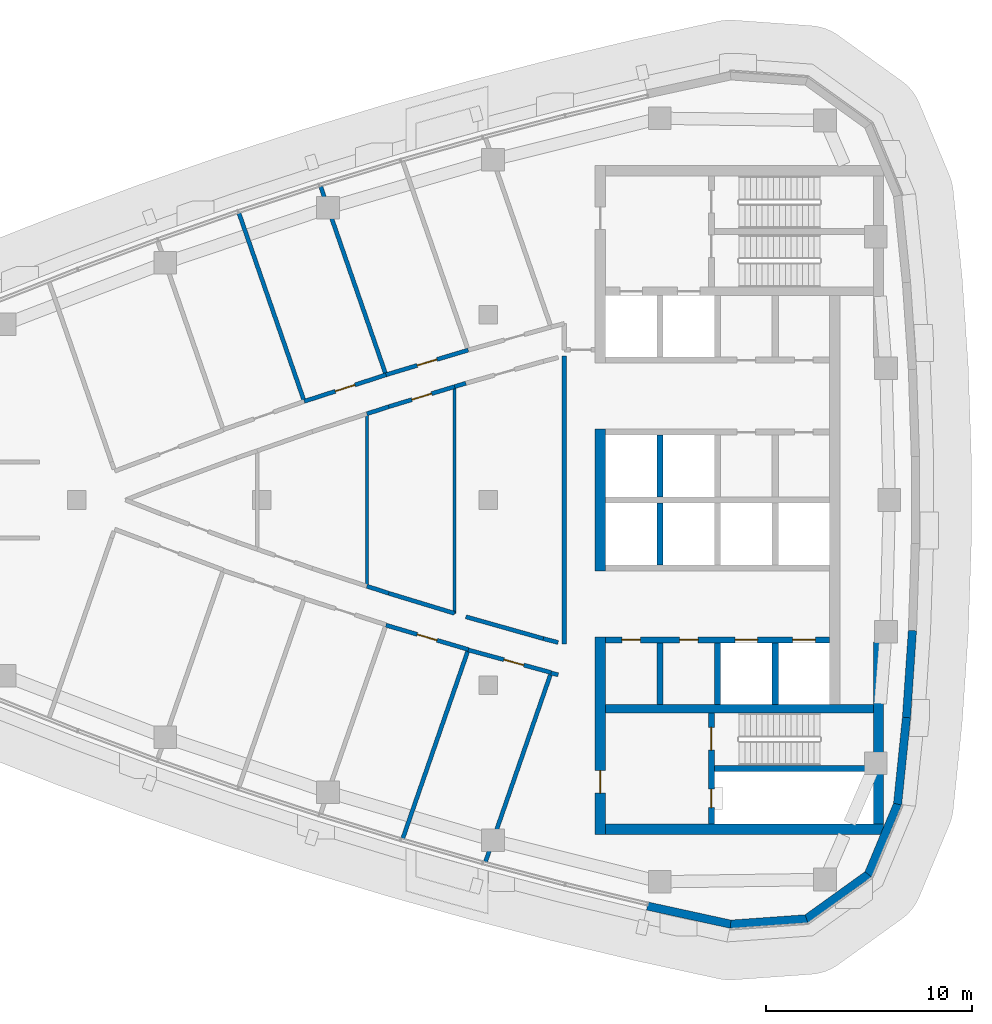
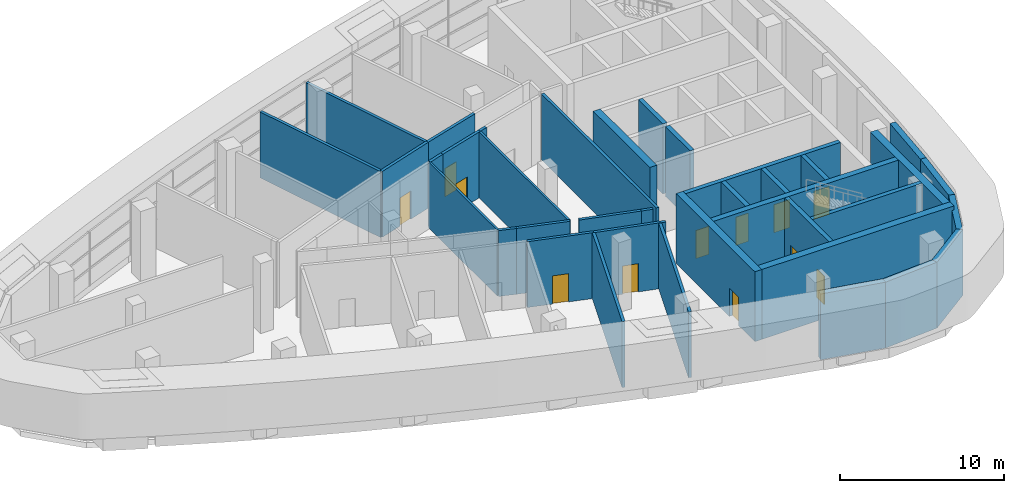
# One storey, part 8 of 14: 38 walls, 12 doors, 12 openings.
"""IFC4 building model written with IfcOpenShell, lengths in metres."""

from ifc_helpers import new_model, si_unit, direction, frame, frame_2d, origin, place, context, subcontext, project, spatial, polyline, rectangle, outline, extrude, material, layer, layer_set, type_object, element, fill, save


model = new_model("IFC4")

# Units and contexts
model_context = context("Model", 3, precision=1e-05, world=origin(), true_north=direction((0.0, 1.0)))
body_context = subcontext(model_context, "Body", "Model", "MODEL_VIEW")
ifc_project = project(units=[si_unit("LENGTHUNIT", "METRE"), si_unit("AREAUNIT", "SQUARE_METRE"), si_unit("VOLUMEUNIT", "CUBIC_METRE"), si_unit("PLANEANGLEUNIT", "RADIAN"), si_unit("MASSUNIT", "GRAM", prefix="KILO")], contexts=[model_context])

# Site, building, storey
site_placement = place(None, origin())
site = spatial("IfcSite", under=ifc_project, at=site_placement, CompositionType="ELEMENT")
building_placement = place(site_placement, origin())
building = spatial("IfcBuilding", under=site, at=building_placement, Name="Ostrand Prow Hotel Tower", CompositionType="ELEMENT")
storey_placement = place(building_placement, frame((0.0, 0.0, 303.39990234375)))
storey = spatial("IfcBuildingStorey", under=building, at=storey_placement, Name="L77", CompositionType="ELEMENT", Elevation=303.39990234375)

# Wall
ifc_material_1 = material(Name="Concrete C50/60", Category="concrete")
ifc_layer_1 = layer(ifc_material_1, 0.300048828125)
ifc_layer_set_1 = layer_set([ifc_layer_1], Name="Concrete C50/60")
wall_type_1 = type_object("IfcWallType", Name="Core wall 300 C50/60", PredefinedType="SHEAR", material=ifc_layer_set_1)
wall_1_placement = place(storey_placement, frame((53.35009765625, 0.14990234375, 0.0), z_axis=(0.0, 0.0, 1.0), x_axis=(0.0, 1.0, 0.0)))
element("IfcWall", 1, at=wall_1_placement, inside=storey, type_object=wall_type_1, Name="Core wall PW-R1-NB", PredefinedType="SHEAR", context=body_context, shape_type="SweptSolid", body=[
    extrude(rectangle(XDim=3.0, YDim=0.300048828125, at=frame_2d((1.5, 0.0))), origin(), (0.0, 0.0, 1.0), 5.2001953125),
])

# Wall, openings, doors
wall_2_placement = place(storey_placement, frame((50.699951171875, -6.800048828125, 0.0), z_axis=(0.0, 0.0, 1.0), x_axis=(1.0, 0.0, 0.0)))
wall_2 = element("IfcWall", 2, at=wall_2_placement, inside=storey, type_object=wall_type_1, Name="Core wall PW-L2-S", PredefinedType="SHEAR", context=body_context, shape_type="SweptSolid", body=[
    extrude(rectangle(XDim=10.900146484375, YDim=0.300048828125, at=frame_2d((5.4501953125, 0.0))), origin(), (0.0, 0.0, 1.0), 5.2001953125),
])
opening_1_placement = place(wall_2_placement, frame((6.300048828125, 0.0, 0.0)))
opening_1 = element("IfcOpeningElement", 3, at=opening_1_placement, cuts=wall_2, Name="Opening LD", PredefinedType="OPENING", context=body_context, shape_type="SweptSolid", body=[
    extrude(rectangle(XDim=1.10009765625, YDim=2.10009765625, at=frame_2d((0.550048828125, 1.050048828125))), frame((0.0, 0.159912109375, 0.0), z_axis=(0.0, -1.0, 0.0), x_axis=(1.0, 0.0, 0.0)), (0.0, 0.0, 1.0), 0.320068359375),
])
opening_2_placement = place(wall_2_placement, frame((9.10009765625, 0.0, 0.0)))
opening_2 = element("IfcOpeningElement", 4, at=opening_2_placement, cuts=wall_2, Name="Opening LD", PredefinedType="OPENING", context=body_context, shape_type="SweptSolid", body=[
    extrude(rectangle(XDim=1.10009765625, YDim=2.10009765625, at=frame_2d((0.550048828125, 1.050048828125))), frame((0.0, 0.159912109375, 0.0), z_axis=(0.0, -1.0, 0.0), x_axis=(1.0, 0.0, 0.0)), (0.0, 0.0, 1.0), 0.320068359375),
])
opening_3_placement = place(wall_2_placement, frame((0.800048828125, 0.0, 0.0)))
opening_3 = element("IfcOpeningElement", 5, at=opening_3_placement, cuts=wall_2, Name="Opening FD2", PredefinedType="OPENING", context=body_context, shape_type="SweptSolid", body=[
    extrude(rectangle(XDim=0.89990234375, YDim=2.10009765625, at=frame_2d((0.449951171875, 1.050048828125))), frame((0.0, 0.159912109375, 0.0), z_axis=(0.0, -1.0, 0.0), x_axis=(1.0, 0.0, 0.0)), (0.0, 0.0, 1.0), 0.320068359375),
])
opening_4_placement = place(wall_2_placement, frame((3.60009765625, 0.0, 0.0)))
opening_4 = element("IfcOpeningElement", 6, at=opening_4_placement, cuts=wall_2, Name="Opening FD2", PredefinedType="OPENING", context=body_context, shape_type="SweptSolid", body=[
    extrude(rectangle(XDim=0.89990234375, YDim=2.10009765625, at=frame_2d((0.449951171875, 1.050048828125))), frame((0.0, 0.159912109375, 0.0), z_axis=(0.0, -1.0, 0.0), x_axis=(1.0, 0.0, 0.0)), (0.0, 0.0, 1.0), 0.320068359375),
])
ifc_material_2 = material(Name="Steel fire door", Category="steel")
door_type_1 = type_object("IfcDoorType", Name="Fire door 900 EI120", OperationType="SINGLE_SWING_LEFT", PredefinedType="DOOR", material=ifc_material_2)
door_1_placement = place(opening_3_placement, origin())
door_1 = element("IfcDoor", 7, at=door_1_placement, inside=storey, type_object=door_type_1, Name="DOOR", OperationType="SINGLE_SWING_LEFT", OverallHeight=2.10009765625, OverallWidth=0.89990234375, PredefinedType="DOOR", context=body_context, shape_type="SweptSolid", body=[
    extrude(rectangle(XDim=0.89990234375, YDim=2.10009765625, at=frame_2d((0.449951171875, 1.050048828125))), frame((0.0, 0.02490234375, 0.0), z_axis=(0.0, -1.0, 0.0), x_axis=(1.0, 0.0, 0.0)), (0.0, 0.0, 1.0), 0.050048828125),
])
fill(opening_3, door_1)
door_2_placement = place(opening_4_placement, origin())
door_2 = element("IfcDoor", 8, at=door_2_placement, inside=storey, type_object=door_type_1, Name="DOOR", OperationType="SINGLE_SWING_LEFT", OverallHeight=2.10009765625, OverallWidth=0.89990234375, PredefinedType="DOOR", context=body_context, shape_type="SweptSolid", body=[
    extrude(rectangle(XDim=0.89990234375, YDim=2.10009765625, at=frame_2d((0.449951171875, 1.050048828125))), frame((0.0, 0.02490234375, 0.0), z_axis=(0.0, -1.0, 0.0), x_axis=(1.0, 0.0, 0.0)), (0.0, 0.0, 1.0), 0.050048828125),
])
fill(opening_4, door_2)
ifc_material_3 = material(Name="Stainless steel door", Category="steel")
door_type_2 = type_object("IfcDoorType", Name="Lift landing door 1100", OperationType="DOUBLE_DOOR_SLIDING", PredefinedType="DOOR", material=ifc_material_3)
door_3_placement = place(opening_1_placement, origin())
door_3 = element("IfcDoor", 9, at=door_3_placement, inside=storey, type_object=door_type_2, Name="LIFT LANDING DOOR", OperationType="DOUBLE_DOOR_SLIDING", OverallHeight=2.10009765625, OverallWidth=1.10009765625, PredefinedType="DOOR", context=body_context, shape_type="SweptSolid", body=[
    extrude(rectangle(XDim=1.10009765625, YDim=2.10009765625, at=frame_2d((0.550048828125, 1.050048828125))), frame((0.0, 0.02490234375, 0.0), z_axis=(0.0, -1.0, 0.0), x_axis=(1.0, 0.0, 0.0)), (0.0, 0.0, 1.0), 0.050048828125),
])
fill(opening_1, door_3)
door_4_placement = place(opening_2_placement, origin())
door_4 = element("IfcDoor", 10, at=door_4_placement, inside=storey, type_object=door_type_2, Name="LIFT LANDING DOOR", OperationType="DOUBLE_DOOR_SLIDING", OverallHeight=2.10009765625, OverallWidth=1.10009765625, PredefinedType="DOOR", context=body_context, shape_type="SweptSolid", body=[
    extrude(rectangle(XDim=1.10009765625, YDim=2.10009765625, at=frame_2d((0.550048828125, 1.050048828125))), frame((0.0, 0.02490234375, 0.0), z_axis=(0.0, -1.0, 0.0), x_axis=(1.0, 0.0, 0.0)), (0.0, 0.0, 1.0), 0.050048828125),
])
fill(opening_2, door_4)

# Walls
for number, where, z_axis, x_axis, name in (
    (11, (53.35009765625, -3.14990234375, 0.0), (0.0, 0.0, 1.0), (0.0, 1.0, 0.0), "Core wall PW-R1-SB"),
    (12, (53.35009765625, -9.949951171875, 0.0), (0.0, 0.0, 1.0), (0.0, 1.0, 0.0), "Core wall PW-R1-SA"),
    (13, (56.14990234375, -9.949951171875, 0.0), (0.0, 0.0, 1.0), (0.0, 1.0, 0.0), "Core wall PW-R2-SA"),
    (14, (58.949951171875, -9.949951171875, 0.0), (0.0, 0.0, 1.0), (0.0, 1.0, 0.0), "Core wall PW-R3-SA"),
):
    element("IfcWall", number, at=place(storey_placement, frame(where, z_axis=z_axis, x_axis=x_axis)), inside=storey, type_object=wall_type_1, Name=name, PredefinedType="SHEAR", context=body_context, shape_type="SweptSolid", body=[
        extrude(rectangle(XDim=3.0, YDim=0.300048828125, at=frame_2d((1.5, 0.0))), origin(), (0.0, 0.0, 1.0), 5.2001953125),
    ])

# Wall, openings, doors
wall_3_placement = place(storey_placement, frame((55.85009765625, -15.75, 0.0), z_axis=(0.0, 0.0, 1.0), x_axis=(0.0, 1.0, 0.0)))
wall_3 = element("IfcWall", 15, at=wall_3_placement, inside=storey, type_object=wall_type_1, Name="Core wall PW-VS", PredefinedType="SHEAR", context=body_context, shape_type="SweptSolid", body=[
    extrude(rectangle(XDim=5.39990234375, YDim=0.300048828125, at=frame_2d((2.699951171875, 0.0))), origin(), (0.0, 0.0, 1.0), 5.2001953125),
])
opening_5_placement = place(wall_3_placement, frame((3.60009765625, 0.0, 0.0)))
opening_5 = element("IfcOpeningElement", 16, at=opening_5_placement, cuts=wall_3, Name="Opening FD1", PredefinedType="OPENING", context=body_context, shape_type="SweptSolid", body=[
    extrude(rectangle(XDim=1.10009765625, YDim=2.10009765625, at=frame_2d((0.550048828125, 1.050048828125))), frame((0.0, 0.159912109375, 0.0), z_axis=(0.0, -1.0, 0.0), x_axis=(1.0, 0.0, 0.0)), (0.0, 0.0, 1.0), 0.320068359375),
])
opening_6_placement = place(wall_3_placement, frame((0.800048828125, 0.0, 0.0)))
opening_6 = element("IfcOpeningElement", 17, at=opening_6_placement, cuts=wall_3, Name="Opening FD2", PredefinedType="OPENING", context=body_context, shape_type="SweptSolid", body=[
    extrude(rectangle(XDim=0.89990234375, YDim=2.10009765625, at=frame_2d((0.449951171875, 1.050048828125))), frame((0.0, 0.159912109375, 0.0), z_axis=(0.0, -1.0, 0.0), x_axis=(1.0, 0.0, 0.0)), (0.0, 0.0, 1.0), 0.320068359375),
])
ifc_material_4 = material(Name="Steel fire door", Category="steel")
door_type_3 = type_object("IfcDoorType", Name="Fire door 1100 EI120", OperationType="SINGLE_SWING_RIGHT", PredefinedType="DOOR", material=ifc_material_4)
door_5_placement = place(opening_5_placement, origin())
door_5 = element("IfcDoor", 18, at=door_5_placement, inside=storey, type_object=door_type_3, Name="FIRE DOOR", OperationType="SINGLE_SWING_RIGHT", OverallHeight=2.10009765625, OverallWidth=1.10009765625, PredefinedType="DOOR", context=body_context, shape_type="SweptSolid", body=[
    extrude(rectangle(XDim=1.10009765625, YDim=2.10009765625, at=frame_2d((0.550048828125, 1.050048828125))), frame((0.0, 0.02490234375, 0.0), z_axis=(0.0, -1.0, 0.0), x_axis=(1.0, 0.0, 0.0)), (0.0, 0.0, 1.0), 0.050048828125),
])
fill(opening_5, door_5)
door_6_placement = place(opening_6_placement, origin())
door_6 = element("IfcDoor", 19, at=door_6_placement, inside=storey, type_object=door_type_1, Name="FIRE DOOR", OperationType="SINGLE_SWING_LEFT", OverallHeight=2.10009765625, OverallWidth=0.89990234375, PredefinedType="DOOR", context=body_context, shape_type="SweptSolid", body=[
    extrude(rectangle(XDim=0.89990234375, YDim=2.10009765625, at=frame_2d((0.449951171875, 1.050048828125))), frame((0.0, 0.02490234375, 0.0), z_axis=(0.0, -1.0, 0.0), x_axis=(1.0, 0.0, 0.0)), (0.0, 0.0, 1.0), 0.050048828125),
])
fill(opening_6, door_6)

# Walls
wall_4_placement = place(storey_placement, frame((56.0, -13.050048828125, 0.0), z_axis=(0.0, 0.0, 1.0), x_axis=(1.0, 0.0, 0.0)))
element("IfcWall", 20, at=wall_4_placement, inside=storey, type_object=wall_type_1, Name="Core wall PW-ST2R", PredefinedType="SHEAR", context=body_context, shape_type="SweptSolid", body=[
    extrude(rectangle(XDim=7.719970703125, YDim=0.300048828125, at=frame_2d((3.85986328125, 0.0))), origin(), (0.0, 0.0, 1.0), 5.2001953125),
])
ifc_material_5 = material(Name="Concrete C50/60", Category="concrete")
ifc_layer_2 = layer(ifc_material_5, 0.39990234375)
ifc_layer_set_2 = layer_set([ifc_layer_2], Name="Concrete C50/60")
wall_type_2 = type_object("IfcWallType", Name="Core wall 400 C50/60", PredefinedType="SHEAR", material=ifc_layer_set_2)
wall_5_placement = place(storey_placement, frame((50.699951171875, -10.14990234375, 0.0), z_axis=(0.0, 0.0, 1.0), x_axis=(1.0, 0.0, 0.0)))
element("IfcWall", 21, at=wall_5_placement, inside=storey, type_object=wall_type_2, Name="Core wall PW-BS", PredefinedType="SHEAR", context=body_context, shape_type="SweptSolid", body=[
    extrude(rectangle(XDim=13.02001953125, YDim=0.39990234375, at=frame_2d((6.510009765625, 0.0))), origin(), (0.0, 0.0, 1.0), 5.2001953125),
])
ifc_material_6 = material(Name="Concrete C50/60", Category="concrete")
ifc_layer_3 = layer(ifc_material_6, 0.5)
ifc_layer_set_3 = layer_set([ifc_layer_3], Name="Concrete C50/60")
wall_type_3 = type_object("IfcWallType", Name="Core wall 500 C50/60", PredefinedType="SHEAR", material=ifc_layer_set_3)
wall_6_placement = place(storey_placement, frame((50.449951171875, -3.449951171875, 0.0), z_axis=(0.0, 0.0, 1.0), x_axis=(0.0, 1.0, 0.0)))
element("IfcWall", 22, at=wall_6_placement, inside=storey, type_object=wall_type_3, Name="Core wall CW-W-C", PredefinedType="SHEAR", context=body_context, shape_type="SweptSolid", body=[
    extrude(rectangle(XDim=6.89990234375, YDim=0.5, at=frame_2d((3.449951171875, 0.0))), origin(), (0.0, 0.0, 1.0), 5.2001953125),
])

# Wall, opening, door
wall_7_placement = place(storey_placement, frame((50.449951171875, -16.25, 0.0), z_axis=(0.0, 0.0, 1.0), x_axis=(0.0, 1.0, 0.0)))
wall_7 = element("IfcWall", 23, at=wall_7_placement, inside=storey, type_object=wall_type_3, Name="Core wall CW-W-S", PredefinedType="SHEAR", context=body_context, shape_type="SweptSolid", body=[
    extrude(rectangle(XDim=9.60009765625, YDim=0.5, at=frame_2d((4.800048828125, 0.0))), origin(), (0.0, 0.0, 1.0), 5.2001953125),
])
opening_7_placement = place(wall_7_placement, frame((2.0, 0.0, 0.0)))
opening_7 = element("IfcOpeningElement", 24, at=opening_7_placement, cuts=wall_7, Name="Opening FD1", PredefinedType="OPENING", context=body_context, shape_type="SweptSolid", body=[
    extrude(rectangle(XDim=1.10009765625, YDim=2.10009765625, at=frame_2d((0.550048828125, 1.050048828125))), frame((0.0, 0.260009765625, 0.0), z_axis=(0.0, -1.0, 0.0), x_axis=(1.0, 0.0, 0.0)), (0.0, 0.0, 1.0), 0.52001953125),
])
door_7_placement = place(opening_7_placement, origin())
door_7 = element("IfcDoor", 25, at=door_7_placement, inside=storey, type_object=door_type_3, Name="FIRE DOOR", OperationType="SINGLE_SWING_RIGHT", OverallHeight=2.10009765625, OverallWidth=1.10009765625, PredefinedType="DOOR", context=body_context, shape_type="SweptSolid", body=[
    extrude(rectangle(XDim=1.10009765625, YDim=2.10009765625, at=frame_2d((0.550048828125, 1.050048828125))), frame((0.0, 0.02490234375, 0.0), z_axis=(0.0, -1.0, 0.0), x_axis=(1.0, 0.0, 0.0)), (0.0, 0.0, 1.0), 0.050048828125),
])
fill(opening_7, door_7)

# Walls
wall_8_placement = place(storey_placement, frame((50.699951171875, -16.0, 0.0), z_axis=(0.0, 0.0, 1.0), x_axis=(1.0, 0.0, 0.0)))
element("IfcWall", 26, at=wall_8_placement, inside=storey, type_object=wall_type_3, Name="Core wall CW-S", PredefinedType="SHEAR", context=body_context, shape_type="SweptSolid", body=[
    extrude(rectangle(XDim=13.52001953125, YDim=0.5, at=frame_2d((6.760009765625, 0.0))), origin(), (0.0, 0.0, 1.0), 5.2001953125),
])
wall_9_placement = place(storey_placement, frame((63.969970703125, -15.75, 0.0), z_axis=(0.0, 0.0, 1.0), x_axis=(0.0, 1.0, 0.0)))
element("IfcWall", 27, at=wall_9_placement, inside=storey, type_object=wall_type_3, Name="Core wall CW-E-S", PredefinedType="SHEAR", context=body_context, shape_type="SweptSolid", body=[
    extrude(rectangle(XDim=8.8466796875, YDim=0.5, at=frame_2d((4.42333984375, 0.0))), origin(), (0.0, 0.0, 1.0), 5.2001953125),
])
ifc_material_7 = material(Name="Plasterboard partition")
ifc_layer_4 = layer(ifc_material_7, 0.14990234375)
ifc_layer_set_4 = layer_set([ifc_layer_4], Name="Plasterboard partition")
wall_type_4 = type_object("IfcWallType", Name="Partition 150 room partition", PredefinedType="PARTITIONING", material=ifc_layer_set_4)
wall_10_placement = place(storey_placement, frame((39.1083984375, -4.1884765625, 0.0), z_axis=(0.0, 0.0, 1.0), x_axis=(0.0, 1.0, 0.0)))
element("IfcWall", 28, at=wall_10_placement, inside=storey, type_object=wall_type_4, Name="ROOM PARTITION", PredefinedType="PARTITIONING", context=body_context, shape_type="SweptSolid", body=[
    extrude(rectangle(XDim=8.376953125, YDim=0.14990234375, at=frame_2d((4.1884765625, 0.0))), origin(), (0.0, 0.0, 1.0), 4.900146484375),
])
wall_11_placement = place(storey_placement, frame((43.371337890625, -5.50830078125, 0.0), z_axis=(0.0, 0.0, 1.0), x_axis=(0.0, 1.0, 0.0)))
element("IfcWall", 29, at=wall_11_placement, inside=storey, type_object=wall_type_4, Name="ROOM PARTITION", PredefinedType="PARTITIONING", context=body_context, shape_type="SweptSolid", body=[
    extrude(rectangle(XDim=11.0166015625, YDim=0.14990234375, at=frame_2d((5.50830078125, 0.0))), origin(), (0.0, 0.0, 1.0), 4.900146484375),
])

# Wall, opening, door
ifc_material_8 = material(Name="Plasterboard partition")
ifc_layer_5 = layer(ifc_material_8, 0.199951171875)
ifc_layer_set_5 = layer_set([ifc_layer_5], Name="Plasterboard partition")
wall_type_5 = type_object("IfcWallType", Name="Partition 200 corridor wall", PredefinedType="PARTITIONING", material=ifc_layer_set_5)
wall_12_placement = place(storey_placement, frame((40.035400390625, 6.08251953125, 0.0), z_axis=(0.0, 0.0, 1.0), x_axis=(-0.951196378796, -0.308586209941, 0.0)))
wall_12 = element("IfcWall", 30, at=wall_12_placement, inside=storey, type_object=wall_type_5, Name="CORRIDOR WALL", PredefinedType="PARTITIONING", context=body_context, shape_type="SweptSolid", body=[
    extrude(rectangle(XDim=4.175048828125, YDim=0.199951171875, at=frame_2d((2.08740234375, 0.0))), origin(), (0.0, 0.0, 1.0), 4.900146484375),
])
opening_8_placement = place(wall_12_placement, frame((1.587646484375, 0.0, 0.0)))
opening_8 = element("IfcOpeningElement", 31, at=opening_8_placement, cuts=wall_12, Name="Opening D1", PredefinedType="OPENING", context=body_context, shape_type="SweptSolid", body=[
    extrude(rectangle(XDim=1.0, YDim=2.10009765625, at=frame_2d((0.5, 1.050048828125))), frame((0.0, 0.10986328125, 0.0), z_axis=(0.0, -1.0, 0.0), x_axis=(1.0, 0.0, 0.0)), (0.0, 0.0, 1.0), 0.219970703125),
])
ifc_material_9 = material(Name="Timber door leaf", Category="wood")
door_type_4 = type_object("IfcDoorType", Name="Guest room door 1000", OperationType="SINGLE_SWING_LEFT", PredefinedType="DOOR", material=ifc_material_9)
door_8_placement = place(opening_8_placement, origin())
door_8 = element("IfcDoor", 32, at=door_8_placement, inside=storey, type_object=door_type_4, Name="DOOR", OperationType="SINGLE_SWING_LEFT", OverallHeight=2.10009765625, OverallWidth=1.0, PredefinedType="DOOR", context=body_context, shape_type="SweptSolid", body=[
    extrude(rectangle(XDim=1.0, YDim=2.10009765625, at=frame_2d((0.5, 1.050048828125))), frame((0.0, 0.02490234375, 0.0), z_axis=(0.0, -1.0, 0.0), x_axis=(1.0, 0.0, 0.0)), (0.0, 0.0, 1.0), 0.050048828125),
])
fill(opening_8, door_8)

wall_13_placement = place(storey_placement, frame((44.03125, 7.285888671875, 0.0), z_axis=(0.0, 0.0, 1.0), x_axis=(-0.957521424208, -0.288362137222, 0.0)))
wall_13 = element("IfcWall", 33, at=wall_13_placement, inside=storey, type_object=wall_type_5, Name="CORRIDOR WALL", PredefinedType="PARTITIONING", context=body_context, shape_type="SweptSolid", body=[
    extrude(rectangle(XDim=4.173095703125, YDim=0.199951171875, at=frame_2d((2.08642578125, 0.0))), origin(), (0.0, 0.0, 1.0), 4.900146484375),
])
opening_9_placement = place(wall_13_placement, frame((1.58642578125, 0.0, 0.0)))
opening_9 = element("IfcOpeningElement", 34, at=opening_9_placement, cuts=wall_13, Name="Opening D1R", PredefinedType="OPENING", context=body_context, shape_type="SweptSolid", body=[
    extrude(rectangle(XDim=1.0, YDim=2.10009765625, at=frame_2d((0.5, 1.050048828125))), frame((0.0, 0.10986328125, 0.0), z_axis=(0.0, -1.0, 0.0), x_axis=(1.0, 0.0, 0.0)), (0.0, 0.0, 1.0), 0.219970703125),
])
ifc_material_10 = material(Name="Timber door leaf", Category="wood")
door_type_5 = type_object("IfcDoorType", Name="Guest room door 1000 right", OperationType="SINGLE_SWING_RIGHT", PredefinedType="DOOR", material=ifc_material_10)
door_9_placement = place(opening_9_placement, origin())
door_9 = element("IfcDoor", 35, at=door_9_placement, inside=storey, type_object=door_type_5, Name="DOOR", OperationType="SINGLE_SWING_RIGHT", OverallHeight=2.10009765625, OverallWidth=1.0, PredefinedType="DOOR", context=body_context, shape_type="SweptSolid", body=[
    extrude(rectangle(XDim=1.0, YDim=2.10009765625, at=frame_2d((0.5, 1.050048828125))), frame((0.0, 0.02490234375, 0.0), z_axis=(0.0, -1.0, 0.0), x_axis=(1.0, 0.0, 0.0)), (0.0, 0.0, 1.0), 0.050048828125),
])
fill(opening_9, door_9)

wall_14_placement = place(storey_placement, frame((40.035400390625, -6.08251953125, 0.0), z_axis=(0.0, 0.0, 1.0), x_axis=(0.958901312153, -0.283739799027, 0.0)))
wall_14 = element("IfcWall", 36, at=wall_14_placement, inside=storey, type_object=wall_type_5, Name="CORRIDOR WALL", PredefinedType="PARTITIONING", context=body_context, shape_type="SweptSolid", body=[
    extrude(rectangle(XDim=4.174072265625, YDim=0.199951171875, at=frame_2d((2.0869140625, 0.0))), origin(), (0.0, 0.0, 1.0), 4.900146484375),
])
opening_10_placement = place(wall_14_placement, frame((1.5869140625, 0.0, 0.0)))
opening_10 = element("IfcOpeningElement", 37, at=opening_10_placement, cuts=wall_14, Name="Opening D1R", PredefinedType="OPENING", context=body_context, shape_type="SweptSolid", body=[
    extrude(rectangle(XDim=1.0, YDim=2.10009765625, at=frame_2d((0.5, 1.050048828125))), frame((0.0, 0.10986328125, 0.0), z_axis=(0.0, -1.0, 0.0), x_axis=(1.0, 0.0, 0.0)), (0.0, 0.0, 1.0), 0.219970703125),
])
door_10_placement = place(opening_10_placement, origin())
door_10 = element("IfcDoor", 38, at=door_10_placement, inside=storey, type_object=door_type_5, Name="DOOR", OperationType="SINGLE_SWING_RIGHT", OverallHeight=2.10009765625, OverallWidth=1.0, PredefinedType="DOOR", context=body_context, shape_type="SweptSolid", body=[
    extrude(rectangle(XDim=1.0, YDim=2.10009765625, at=frame_2d((0.5, 1.050048828125))), frame((0.0, 0.02490234375, 0.0), z_axis=(0.0, -1.0, 0.0), x_axis=(1.0, 0.0, 0.0)), (0.0, 0.0, 1.0), 0.050048828125),
])
fill(opening_10, door_10)

wall_15_placement = place(storey_placement, frame((44.03125, -7.285888671875, 0.0), z_axis=(0.0, 0.0, 1.0), x_axis=(0.964708521199, -0.263320088726, 0.0)))
wall_15 = element("IfcWall", 39, at=wall_15_placement, inside=storey, type_object=wall_type_5, Name="CORRIDOR WALL", PredefinedType="PARTITIONING", context=body_context, shape_type="SweptSolid", body=[
    extrude(rectangle(XDim=4.1787109375, YDim=0.199951171875, at=frame_2d((2.08935546875, 0.0))), origin(), (0.0, 0.0, 1.0), 4.900146484375),
])
opening_11_placement = place(wall_15_placement, frame((1.800048828125, 0.0, 0.0)))
opening_11 = element("IfcOpeningElement", 40, at=opening_11_placement, cuts=wall_15, Name="Opening D1", PredefinedType="OPENING", context=body_context, shape_type="SweptSolid", body=[
    extrude(rectangle(XDim=1.0, YDim=2.10009765625, at=frame_2d((0.5, 1.050048828125))), frame((0.0, 0.10986328125, 0.0), z_axis=(0.0, -1.0, 0.0), x_axis=(1.0, 0.0, 0.0)), (0.0, 0.0, 1.0), 0.219970703125),
])
door_11_placement = place(opening_11_placement, origin())
door_11 = element("IfcDoor", 41, at=door_11_placement, inside=storey, type_object=door_type_4, Name="DOOR", OperationType="SINGLE_SWING_LEFT", OverallHeight=2.10009765625, OverallWidth=1.0, PredefinedType="DOOR", context=body_context, shape_type="SweptSolid", body=[
    extrude(rectangle(XDim=1.0, YDim=2.10009765625, at=frame_2d((0.5, 1.050048828125))), frame((0.0, 0.02490234375, 0.0), z_axis=(0.0, -1.0, 0.0), x_axis=(1.0, 0.0, 0.0)), (0.0, 0.0, 1.0), 0.050048828125),
])
fill(opening_11, door_11)

wall_16_placement = place(storey_placement, frame((40.1748046875, 4.5361328125, 0.0), z_axis=(0.0, 0.0, 1.0), x_axis=(0.956731383817, 0.290972609055, 0.0)))
wall_16 = element("IfcWall", 42, at=wall_16_placement, inside=storey, type_object=wall_type_5, Name="CORRIDOR WALL", PredefinedType="PARTITIONING", context=body_context, shape_type="SweptSolid", body=[
    extrude(rectangle(XDim=3.341064453125, YDim=0.199951171875, at=frame_2d((1.67041015625, 0.0))), origin(), (0.0, 0.0, 1.0), 4.900146484375),
])
opening_12_placement = place(wall_16_placement, frame((1.17041015625, 0.0, 0.0)))
opening_12 = element("IfcOpeningElement", 43, at=opening_12_placement, cuts=wall_16, Name="Opening D1", PredefinedType="OPENING", context=body_context, shape_type="SweptSolid", body=[
    extrude(rectangle(XDim=1.0, YDim=2.10009765625, at=frame_2d((0.5, 1.050048828125))), frame((0.0, 0.10986328125, 0.0), z_axis=(0.0, -1.0, 0.0), x_axis=(1.0, 0.0, 0.0)), (0.0, 0.0, 1.0), 0.219970703125),
])
door_12_placement = place(opening_12_placement, origin())
door_12 = element("IfcDoor", 44, at=door_12_placement, inside=storey, type_object=door_type_4, Name="DOOR", OperationType="SINGLE_SWING_LEFT", OverallHeight=2.10009765625, OverallWidth=1.0, PredefinedType="DOOR", context=body_context, shape_type="SweptSolid", body=[
    extrude(rectangle(XDim=1.0, YDim=2.10009765625, at=frame_2d((0.5, 1.050048828125))), frame((0.0, 0.02490234375, 0.0), z_axis=(0.0, -1.0, 0.0), x_axis=(1.0, 0.0, 0.0)), (0.0, 0.0, 1.0), 0.050048828125),
])
fill(opening_12, door_12)

# Walls
wall_17_placement = place(storey_placement, frame((43.371337890625, -5.50830078125, 0.0), z_axis=(0.0, 0.0, 1.0), x_axis=(-0.956731383817, 0.290972609055, 0.0)))
element("IfcWall", 45, at=wall_17_placement, inside=storey, type_object=wall_type_5, Name="CORRIDOR WALL", PredefinedType="PARTITIONING", context=body_context, shape_type="SweptSolid", body=[
    extrude(rectangle(XDim=3.341064453125, YDim=0.199951171875, at=frame_2d((1.67041015625, 0.0))), origin(), (0.0, 0.0, 1.0), 4.900146484375),
])
for number, where, z_axis, x_axis, name in (
    (46, (40.1748046875, -4.5361328125, 0.0), (0.0, 0.0, 1.0), (-0.950752151897, 0.309952166736, 0.0), "CORRIDOR WALL"),
    (47, (39.1083984375, 4.1884765625, 0.0), (0.0, 0.0, 1.0), (0.950752151897, 0.309952166736, 0.0), "CORRIDOR WALL"),
):
    element("IfcWall", number, at=place(storey_placement, frame(where, z_axis=z_axis, x_axis=x_axis)), inside=storey, type_object=wall_type_5, Name=name, PredefinedType="PARTITIONING", context=body_context, shape_type="SweptSolid", body=[
        extrude(rectangle(XDim=1.12158203125, YDim=0.199951171875, at=frame_2d((0.560791015625, 0.0))), origin(), (0.0, 0.0, 1.0), 4.900146484375),
    ])
wall_18_placement = place(storey_placement, frame((47.684326171875, -6.737548828125, 0.0), z_axis=(0.0, 0.0, 1.0), x_axis=(-0.962411212211, 0.271596499628, 0.0)))
element("IfcWall", 48, at=wall_18_placement, inside=storey, type_object=wall_type_5, Name="CORRIDOR WALL", PredefinedType="PARTITIONING", context=body_context, shape_type="SweptSolid", body=[
    extrude(rectangle(XDim=3.912841796875, YDim=0.199951171875, at=frame_2d((1.95654296875, 0.0))), origin(), (0.0, 0.0, 1.0), 4.900146484375),
])
wall_19_placement = place(storey_placement, frame((48.055908203125, -8.4052734375, 0.0), z_axis=(0.0, 0.0, 1.0), x_axis=(0.967682555311, -0.252171513354, 0.0)))
element("IfcWall", 49, at=wall_19_placement, inside=storey, type_object=wall_type_5, Name="CORRIDOR WALL", PredefinedType="PARTITIONING", context=body_context, shape_type="SweptSolid", body=[
    extrude(rectangle(XDim=0.357177734375, YDim=0.199951171875, at=frame_2d((0.1787109375, 0.0))), origin(), (0.0, 0.0, 1.0), 4.900146484375),
])
wall_20_placement = place(storey_placement, frame((48.40185546875, -6.9248046875, 0.0), z_axis=(0.0, 0.0, 1.0), x_axis=(-0.967592794473, 0.252515710568, 0.0)))
element("IfcWall", 50, at=wall_20_placement, inside=storey, type_object=wall_type_5, Name="CORRIDOR WALL", PredefinedType="PARTITIONING", context=body_context, shape_type="SweptSolid", body=[
    extrude(rectangle(XDim=0.741455078125, YDim=0.199951171875, at=frame_2d((0.37060546875, 0.0))), origin(), (0.0, 0.0, 1.0), 4.900146484375),
])
wall_21_placement = place(storey_placement, frame((48.699951171875, 6.997314453125, 0.0), z_axis=(0.0, 0.0, 1.0), x_axis=(-0.000209358312, -0.999999978085, 0.0)))
element("IfcWall", 51, at=wall_21_placement, inside=storey, type_object=wall_type_5, Name="CORRIDOR WALL", PredefinedType="PARTITIONING", context=body_context, shape_type="SweptSolid", body=[
    extrude(rectangle(XDim=13.99365234375, YDim=0.199951171875, at=frame_2d((6.996826171875, 0.0))), origin(), (0.0, 0.0, 1.0), 4.900146484375),
])
wall_22_placement = place(storey_placement, frame((43.371337890625, 5.50830078125, 0.0), z_axis=(0.0, 0.0, 1.0), x_axis=(0.956679050326, 0.291144628435, 0.0)))
element("IfcWall", 52, at=wall_22_placement, inside=storey, type_object=wall_type_5, Name="CORRIDOR WALL", PredefinedType="PARTITIONING", context=body_context, shape_type="SweptSolid", body=[
    extrude(rectangle(XDim=0.57177734375, YDim=0.199951171875, at=frame_2d((0.285888671875, 0.0))), origin(), (0.0, 0.0, 1.0), 4.900146484375),
])
ifc_material_11 = material(Name="Plasterboard partition")
ifc_layer_6 = layer(ifc_material_11, 0.199951171875)
ifc_layer_set_6 = layer_set([ifc_layer_6], Name="Plasterboard partition")
wall_type_6 = type_object("IfcWallType", Name="Partition 200 key partition", PredefinedType="PARTITIONING", material=ifc_layer_set_6)
wall_23_placement = place(storey_placement, frame((36.07080078125, 4.775390625, 0.0), z_axis=(0.0, 0.0, 1.0), x_axis=(-0.327725028322, 0.94477315045, 0.0)))
element("IfcWall", 53, at=wall_23_placement, inside=storey, type_object=wall_type_6, Name="KEY PARTITION", PredefinedType="PARTITIONING", context=body_context, shape_type="SweptSolid", body=[
    extrude(rectangle(XDim=9.70166015625, YDim=0.199951171875, at=frame_2d((4.850830078125, 0.0))), origin(), (0.0, 0.0, 1.0), 4.900146484375),
])
wall_24_placement = place(storey_placement, frame((40.0419921875, 6.063720703125, 0.0), z_axis=(0.0, 0.0, 1.0), x_axis=(-0.327710853631, 0.944778067279, 0.0)))
element("IfcWall", 54, at=wall_24_placement, inside=storey, type_object=wall_type_6, Name="KEY PARTITION", PredefinedType="PARTITIONING", context=body_context, shape_type="SweptSolid", body=[
    extrude(rectangle(XDim=9.707275390625, YDim=0.199951171875, at=frame_2d((4.853515625, 0.0))), origin(), (0.0, 0.0, 1.0), 4.900146484375),
])
wall_25_placement = place(storey_placement, frame((40.853515625, -16.447021484375, 0.0), z_axis=(0.0, 0.0, 1.0), x_axis=(0.327714576096, 0.944776776077, 0.0)))
element("IfcWall", 55, at=wall_25_placement, inside=storey, type_object=wall_type_6, Name="KEY PARTITION", PredefinedType="PARTITIONING", context=body_context, shape_type="SweptSolid", body=[
    extrude(rectangle(XDim=9.716796875, YDim=0.199951171875, at=frame_2d((4.8583984375, 0.0))), origin(), (0.0, 0.0, 1.0), 4.900146484375),
])
wall_26_placement = place(storey_placement, frame((44.873779296875, -17.5791015625, 0.0), z_axis=(0.0, 0.0, 1.0), x_axis=(0.327705598625, 0.944779890043, 0.0)))
element("IfcWall", 56, at=wall_26_placement, inside=storey, type_object=wall_type_6, Name="KEY PARTITION", PredefinedType="PARTITIONING", context=body_context, shape_type="SweptSolid", body=[
    extrude(rectangle(XDim=9.60986328125, YDim=0.199951171875, at=frame_2d((4.804931640625, 0.0))), origin(), (0.0, 0.0, 1.0), 4.900146484375),
])
ifc_material_12 = material(Name="Precast concrete C40/50", Category="concrete")
ifc_layer_7 = layer(ifc_material_12, 0.39990234375)
ifc_layer_set_7 = layer_set([ifc_layer_7], Name="Precast concrete C40/50")
wall_type_7 = type_object("IfcWallType", Name="Stone-faced precast wall 400 mm", PredefinedType="NOTDEFINED", material=ifc_layer_set_7)
wall_27_placement = place(storey_placement, frame((52.73828125, -19.73193359375, 0.0), z_axis=(0.0, 0.0, 1.0), x_axis=(0.977020225348, -0.213146614471, 0.0)))
element("IfcWall", 57, at=wall_27_placement, inside=storey, type_object=wall_type_7, Name="Stone-faced wall back 1", PredefinedType="NOTDEFINED", context=body_context, shape_type="SweptSolid", body=[
    extrude(outline(polyline([(0.0, -0.199951171875), (4.170654296875, -0.199951171875), (4.113037109375, 0.199951171875), (0.0, 0.199951171875), (0.0, -0.199951171875)])), origin(), (0.0, 0.0, 1.0), 4.900146484375),
])
wall_28_placement = place(storey_placement, frame((56.784912109375, -20.61474609375, 0.0), z_axis=(0.0, 0.0, 1.0), x_axis=(0.99746272096, 0.071190731806, 0.0)))
element("IfcWall", 58, at=wall_28_placement, inside=storey, type_object=wall_type_7, Name="Stone-faced wall back 2", PredefinedType="NOTDEFINED", context=body_context, shape_type="SweptSolid", body=[
    extrude(outline(polyline([(-0.02880859375, -0.199951171875), (3.75341796875, -0.199951171875), (3.64013671875, 0.199951171875), (0.02880859375, 0.199951171875), (-0.02880859375, -0.199951171875)])), origin(), (0.0, 0.0, 1.0), 4.900146484375),
])
wall_29_placement = place(storey_placement, frame((60.472412109375, -20.3515625, 0.0), z_axis=(0.0, 0.0, 1.0), x_axis=(0.811962548682, 0.583709533533, 0.0)))
element("IfcWall", 59, at=wall_29_placement, inside=storey, type_object=wall_type_7, Name="Stone-faced wall back 3", PredefinedType="NOTDEFINED", context=body_context, shape_type="SweptSolid", body=[
    extrude(outline(polyline([(-0.056640625, -0.199951171875), (3.753173828125, -0.199951171875), (3.639892578125, 0.199951171875), (0.056640625, 0.199951171875), (-0.056640625, -0.199951171875)])), origin(), (0.0, 0.0, 1.0), 4.900146484375),
])
wall_30_placement = place(storey_placement, frame((63.473876953125, -18.19384765625, 0.0), z_axis=(0.0, 0.0, 1.0), x_axis=(0.385285857918, 0.922797273343, 0.0)))
element("IfcWall", 60, at=wall_30_placement, inside=storey, type_object=wall_type_7, Name="Stone-faced wall back 4", PredefinedType="NOTDEFINED", context=body_context, shape_type="SweptSolid", body=[
    extrude(outline(polyline([(-0.056640625, -0.199951171875), (3.726318359375, -0.199951171875), (3.667236328125, 0.199951171875), (0.056640625, 0.199951171875), (-0.056640625, -0.199951171875)])), origin(), (0.0, 0.0, 1.0), 4.900146484375),
])
wall_31_placement = place(storey_placement, frame((64.898193359375, -14.782470703125, 0.0), z_axis=(0.0, 0.0, 1.0), x_axis=(0.102249826987, 0.994758751096, 0.0)))
element("IfcWall", 61, at=wall_31_placement, inside=storey, type_object=wall_type_7, Name="Stone-faced wall back 5", PredefinedType="NOTDEFINED", context=body_context, shape_type="SweptSolid", body=[
    extrude(outline(polyline([(-0.029541015625, -0.199951171875), (4.23681640625, -0.199951171875), (4.22998046875, 0.199951171875), (0.029541015625, 0.199951171875), (-0.029541015625, -0.199951171875)])), origin(), (0.0, 0.0, 1.0), 4.900146484375),
])
wall_32_placement = place(storey_placement, frame((65.3310546875, -10.5712890625, 0.0), z_axis=(0.0, 0.0, 1.0), x_axis=(0.068279584479, 0.997666225921, 0.0)))
element("IfcWall", 62, at=wall_32_placement, inside=storey, type_object=wall_type_7, Name="Stone-faced wall back 6", PredefinedType="NOTDEFINED", context=body_context, shape_type="SweptSolid", body=[
    extrude(outline(polyline([(-0.00341796875, -0.199951171875), (4.23681640625, -0.199951171875), (4.22998046875, 0.199951171875), (0.00341796875, 0.199951171875), (-0.00341796875, -0.199951171875)])), origin(), (0.0, 0.0, 1.0), 4.900146484375),
])

save(model, "model.ifc")
